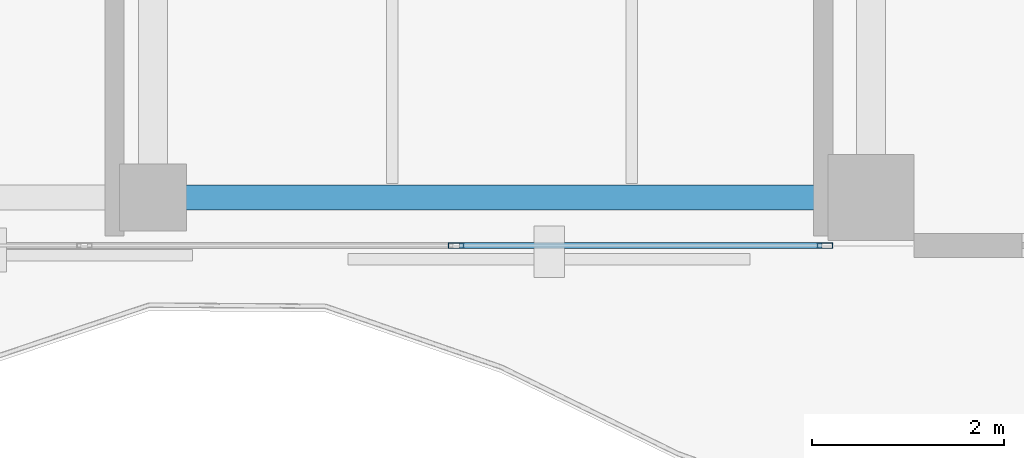
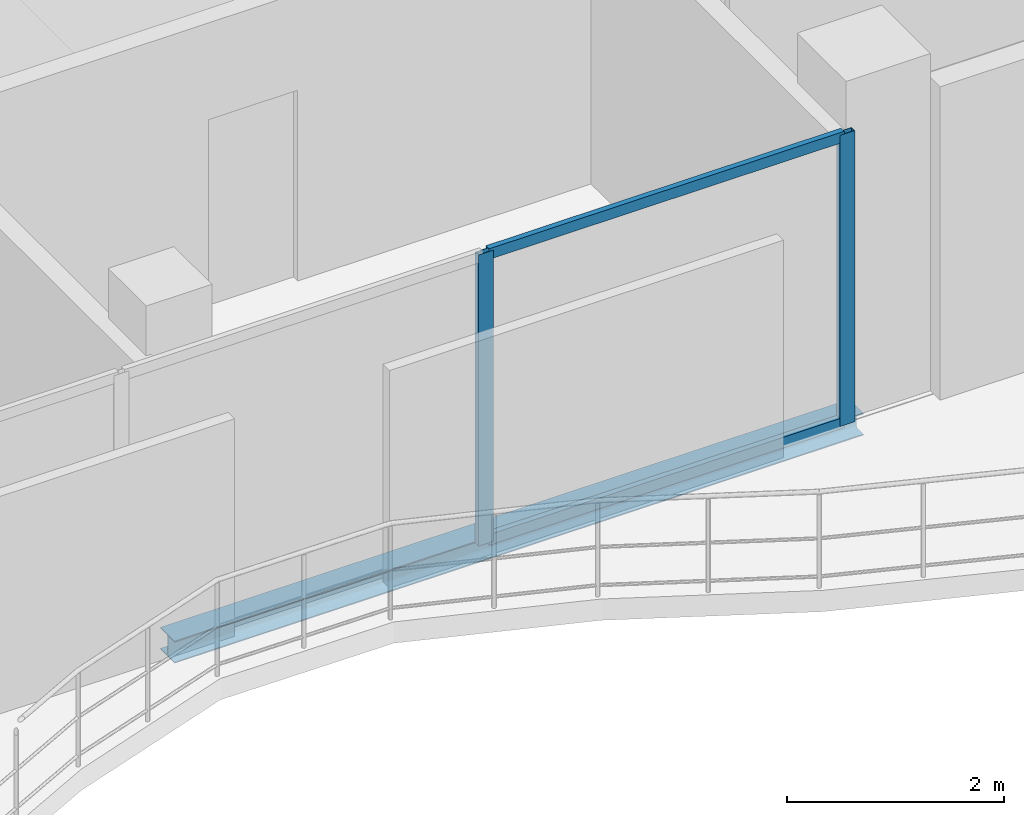
# One storey, part 6 of 17: 4 members, 1 beam, 1 element without a shape of its own.
"""IFC4 building model written with IfcOpenShell, lengths in metres."""

from ifc_helpers import new_model, si_unit, direction, frame, origin, origin_2d, place, context, subcontext, project, spatial, hollow_rectangle, i_section, extrude, material, layer, layer_set, material_profile, profile_set, type_object, element, aggregate, save


model = new_model("IFC4")

# Units and contexts
model_context = context("Model", 3, precision=1e-05, world=origin(), true_north=direction((0.0, 1.0)))
body_context = subcontext(model_context, "Body", "Model", "MODEL_VIEW")
ifc_project = project(units=[si_unit("LENGTHUNIT", "METRE"), si_unit("AREAUNIT", "SQUARE_METRE"), si_unit("VOLUMEUNIT", "CUBIC_METRE"), si_unit("PLANEANGLEUNIT", "RADIAN"), si_unit("MASSUNIT", "GRAM", prefix="KILO")], contexts=[model_context])

# Site, building, storey
site_placement = place(None, origin())
site = spatial("IfcSite", under=ifc_project, at=site_placement, CompositionType="ELEMENT")
building_placement = place(site_placement, origin())
building = spatial("IfcBuilding", under=site, at=building_placement, Name="Catumbela Crestline Tower", CompositionType="ELEMENT")
storey_placement = place(building_placement, frame((0.0, 0.0, 283.0)))
storey = spatial("IfcBuildingStorey", under=building, at=storey_placement, Name="L73", CompositionType="ELEMENT", Elevation=283.0)

# Curtain wall, members
ifc_material_1 = material(Name="Aluminium alloy AW-6060-T66", Category="aluminium")
ifc_layer = layer(ifc_material_1, 0.18, Name="Aluminium alloy AW-6060-T66")
ifc_layer_set = layer_set([ifc_layer], Name="Aluminium alloy AW-6060-T66")
curtain_wall_type = type_object("IfcCurtainWallType", Name="CWU-Z4", PredefinedType="USERDEFINED", material=ifc_layer_set)
curtain_wall_placement = place(storey_placement, origin())
curtain_wall = element("IfcCurtainWall", 1, at=curtain_wall_placement, inside=storey, type_object=curtain_wall_type, Name="L73 Unitised Curtain Wall CW-L73-E3S2", ObjectType="UNITISED", PredefinedType="USERDEFINED")
ifc_material_profile_1 = material_profile(ifc_material_1, hollow_rectangle(XDim=0.06, YDim=0.16, WallThickness=0.004, at=origin_2d()), Name="ALU 160x60x4")
ifc_profile_set_1 = profile_set([ifc_material_profile_1], Name="Aluminium alloy AW-6060-T66")
member_type_1 = type_object("IfcMemberType", Name="MUL-160X60", PredefinedType="MULLION", material=ifc_profile_set_1)
member_1_placement = place(storey_placement, frame((35.1667, 24.0, 0.0), z_axis=(0.0, 0.0, 1.0), x_axis=(0.0, 1.0, 0.0)))
member_1 = element("IfcMember", 2, at=member_1_placement, type_object=member_type_1, Name="CWU-Z4 mullion 3", PredefinedType="MULLION", context=body_context, shape_type="SweptSolid", body=[
    extrude(hollow_rectangle(XDim=0.06, YDim=0.16, WallThickness=0.004, at=origin_2d()), origin(), (0.0, 0.0, 1.0), 3.28),
])
member_2_placement = place(storey_placement, frame((39.0175, 24.0, 0.0), z_axis=(0.0, 0.0, 1.0), x_axis=(0.0, 1.0, 0.0)))
member_2 = element("IfcMember", 3, at=member_2_placement, type_object=member_type_1, Name="CWU-Z4 mullion 4", PredefinedType="MULLION", context=body_context, shape_type="SweptSolid", body=[
    extrude(hollow_rectangle(XDim=0.06, YDim=0.16, WallThickness=0.004, at=origin_2d()), origin(), (0.0, 0.0, 1.0), 3.28),
])

# Beam
ifc_material_2 = material(Name="Structural steel S355J2", Category="steel")
ifc_material_profile_2 = material_profile(ifc_material_2, i_section(OverallWidth=0.26, OverallDepth=0.25, WebThickness=0.0075, FlangeThickness=0.0125, FilletRadius=0.024, at=origin_2d()), Name="HEA 260")
ifc_profile_set_2 = profile_set([ifc_material_profile_2], Name="Structural steel S355J2")
beam_type = type_object("IfcBeamType", Name="BS-HEA260", PredefinedType="SPANDREL", material=ifc_profile_set_2)
beam_placement = place(storey_placement, frame((32.08, 24.5, -0.385), z_axis=(1.0, 0.0, 0.0), x_axis=(0.0, 1.0, 0.0)))
element("IfcBeam", 4, at=beam_placement, inside=storey, type_object=beam_type, Name="L73 Spandrel SP-L73-S03", PredefinedType="SPANDREL", context=body_context, shape_type="SweptSolid", body=[
    extrude(i_section(OverallWidth=0.26, OverallDepth=0.25, WebThickness=0.0075, FlangeThickness=0.0125, FilletRadius=0.024, at=origin_2d()), origin(), (0.0, 0.0, 1.0), 7.34),
])

# Member
ifc_material_profile_3 = material_profile(ifc_material_1, hollow_rectangle(XDim=0.06, YDim=0.12, WallThickness=0.0035, at=origin_2d()), Name="ALU 120x60x3.5")
ifc_profile_set_3 = profile_set([ifc_material_profile_3], Name="Aluminium alloy AW-6060-T66")
member_type_2 = type_object("IfcMemberType", Name="TRN-120X60", PredefinedType="USERDEFINED", material=ifc_profile_set_3)
member_3_placement = place(storey_placement, frame((35.1992, 24.0, 0.03), z_axis=(1.0, 0.0, 0.0), x_axis=(0.0, 1.0, 0.0)))
member_3 = element("IfcMember", 5, at=member_3_placement, type_object=member_type_2, Name="CWU-Z4 transom 3.1", ObjectType="TRANSOM", PredefinedType="USERDEFINED", context=body_context, shape_type="SweptSolid", body=[
    extrude(hollow_rectangle(XDim=0.06, YDim=0.12, WallThickness=0.0035, at=origin_2d()), origin(), (0.0, 0.0, 1.0), 3.7858),
])

member_4_placement = place(storey_placement, frame((35.1992, 24.0, 3.25), z_axis=(1.0, 0.0, 0.0), x_axis=(0.0, 1.0, 0.0)))
member_4 = element("IfcMember", 6, at=member_4_placement, type_object=member_type_2, Name="CWU-Z4 transom 3.2", ObjectType="TRANSOM", PredefinedType="USERDEFINED", context=body_context, shape_type="SweptSolid", body=[
    extrude(hollow_rectangle(XDim=0.06, YDim=0.12, WallThickness=0.0035, at=origin_2d()), origin(), (0.0, 0.0, 1.0), 3.7858),
])

aggregate(curtain_wall, [member_1, member_2, member_3, member_4])

save(model, "model.ifc")
